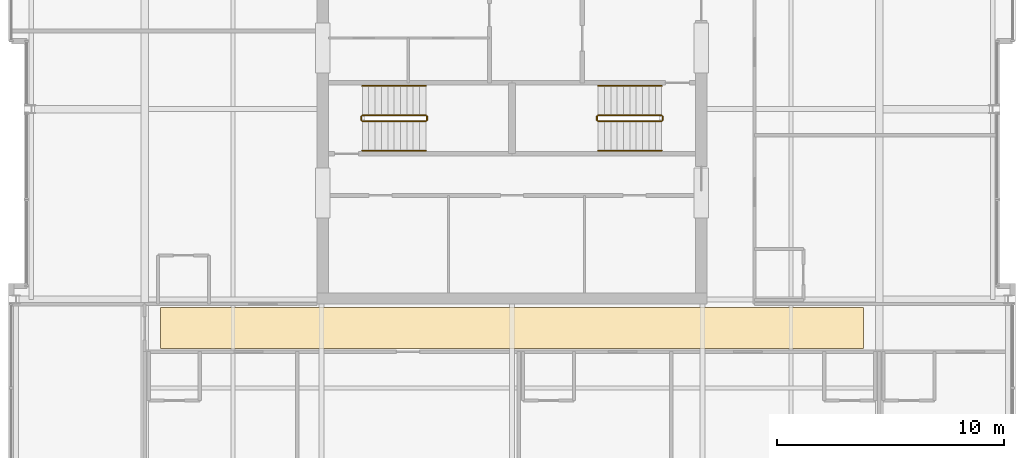
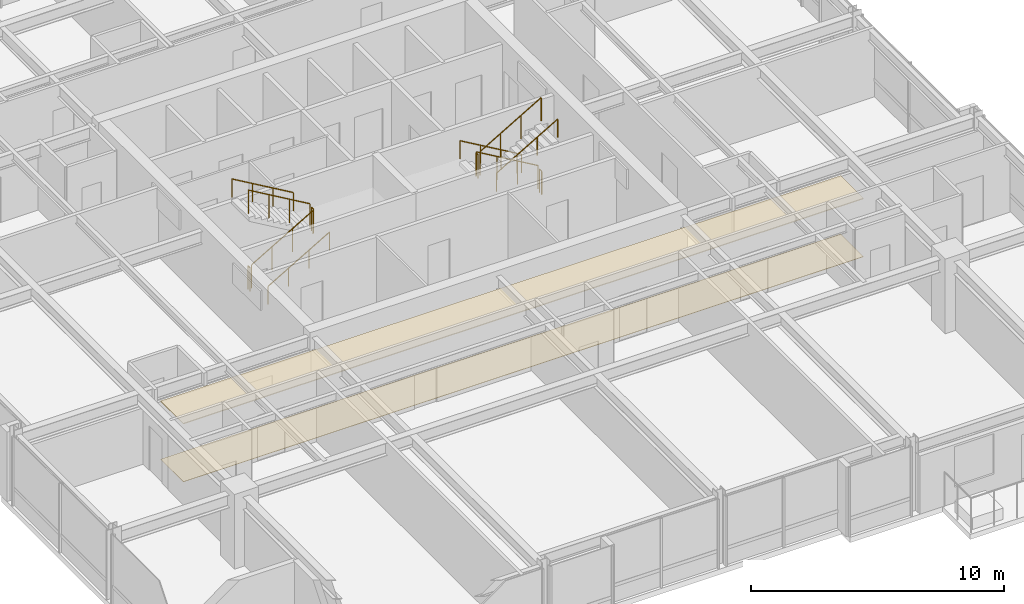
# One storey, part 30 of 31: 12 railings, 2 coverings.
"""IFC4 building model written with IfcOpenShell, lengths in metres."""

from ifc_helpers import new_model, si_unit, direction, frame, origin, origin_2d, place, context, subcontext, project, spatial, polyline, circle, outline, extrude, material, layer, layer_set, type_object, element, save


model = new_model("IFC4")

# Units and contexts
model_context = context("Model", 3, precision=1e-05, world=origin(), true_north=direction((0.0, 1.0)))
body_context = subcontext(model_context, "Body", "Model", "MODEL_VIEW")
ifc_project = project(units=[si_unit("LENGTHUNIT", "METRE"), si_unit("AREAUNIT", "SQUARE_METRE"), si_unit("VOLUMEUNIT", "CUBIC_METRE"), si_unit("PLANEANGLEUNIT", "RADIAN"), si_unit("MASSUNIT", "GRAM", prefix="KILO")], contexts=[model_context])

# Site, building, storey
site_placement = place(None, origin())
site = spatial("IfcSite", under=ifc_project, at=site_placement, CompositionType="ELEMENT")
building_placement = place(site_placement, origin())
building = spatial("IfcBuilding", under=site, at=building_placement, Name="Drelvath Grand Hotel", CompositionType="ELEMENT")
storey_placement = place(building_placement, frame((0.0, 0.0, 244.699951171875)))
storey = spatial("IfcBuildingStorey", under=building, at=storey_placement, Name="L64", CompositionType="ELEMENT", Elevation=244.699951171875)

# Railings
ifc_material_1 = material(Name="Painted Steel S275", Category="steel")
railing_type_1 = type_object("IfcRailingType", Name="Core Stair Wall Handrail 900", PredefinedType="HANDRAIL", material=ifc_material_1)
railing_1_placement = place(storey_placement, frame((-6.60009765625, 25.169921875, 0.16357421875)))
element("IfcRailing", 1, at=railing_1_placement, inside=storey, type_object=railing_type_1, Name="L64 ST-1 stair handrail 1", PredefinedType="HANDRAIL", context=body_context, shape_type="SweptSolid", body=[
    extrude(circle(Radius=0.02392578125, at=origin_2d()), frame((0.0, 0.0, 0.8759765625), z_axis=(0.863360870873, 0.0, 0.504586966384), x_axis=(0.0, 1.0, 0.0)), (0.0, 0.0, 1.0), 3.2431640625),
    extrude(circle(Radius=0.02099609375, at=origin_2d()), origin(), (0.0, 0.0, 1.0), 0.851806640625),
    extrude(circle(Radius=0.02099609375, at=origin_2d()), frame((0.933349609375, 0.0, 0.54541015625)), (0.0, 0.0, 1.0), 0.851806640625),
    extrude(circle(Radius=0.02099609375, at=origin_2d()), frame((1.86669921875, 0.0, 1.091064453125)), (0.0, 0.0, 1.0), 0.851806640625),
    extrude(circle(Radius=0.02099609375, at=origin_2d()), frame((2.800048828125, 0.0, 1.636474609375)), (0.0, 0.0, 1.0), 0.851806640625),
])
for number, where, name in (
    (2, (-3.800048828125, 28.030029296875, 1.963623046875), "L64 ST-1 stair handrail 2"),
    (3, (6.60009765625, 28.030029296875, 0.16357421875), "L64 ST-2 stair handrail 1"),
):
    element("IfcRailing", number, at=place(storey_placement, frame(where)), inside=storey, type_object=railing_type_1, Name=name, PredefinedType="HANDRAIL", context=body_context, shape_type="SweptSolid", body=[
        extrude(circle(Radius=0.02392578125, at=origin_2d()), frame((0.0, 0.0, 0.8759765625), z_axis=(-0.863360870873, 0.0, 0.504586966384), x_axis=(0.0, -1.0, 0.0)), (0.0, 0.0, 1.0), 3.2431640625),
        extrude(circle(Radius=0.02099609375, at=origin_2d()), origin(), (0.0, 0.0, 1.0), 0.851806640625),
        extrude(circle(Radius=0.02099609375, at=origin_2d()), frame((-0.933349609375, 0.0, 0.54541015625)), (0.0, 0.0, 1.0), 0.851806640625),
        extrude(circle(Radius=0.02099609375, at=origin_2d()), frame((-1.86669921875, 0.0, 1.091064453125)), (0.0, 0.0, 1.0), 0.851806640625),
        extrude(circle(Radius=0.02099609375, at=origin_2d()), frame((-2.800048828125, 0.0, 1.636474609375)), (0.0, 0.0, 1.0), 0.851806640625),
    ])
railing_2_placement = place(storey_placement, frame((3.800048828125, 25.169921875, 1.963623046875)))
element("IfcRailing", 4, at=railing_2_placement, inside=storey, type_object=railing_type_1, Name="L64 ST-2 stair handrail 2", PredefinedType="HANDRAIL", context=body_context, shape_type="SweptSolid", body=[
    extrude(circle(Radius=0.02392578125, at=origin_2d()), frame((0.0, 0.0, 0.8759765625), z_axis=(0.863360870873, 0.0, 0.504586966384), x_axis=(0.0, 1.0, 0.0)), (0.0, 0.0, 1.0), 3.2431640625),
    extrude(circle(Radius=0.02099609375, at=origin_2d()), origin(), (0.0, 0.0, 1.0), 0.851806640625),
    extrude(circle(Radius=0.02099609375, at=origin_2d()), frame((0.933349609375, 0.0, 0.54541015625)), (0.0, 0.0, 1.0), 0.851806640625),
    extrude(circle(Radius=0.02099609375, at=origin_2d()), frame((1.86669921875, 0.0, 1.091064453125)), (0.0, 0.0, 1.0), 0.851806640625),
    extrude(circle(Radius=0.02099609375, at=origin_2d()), frame((2.800048828125, 0.0, 1.636474609375)), (0.0, 0.0, 1.0), 0.851806640625),
])
railing_type_2 = type_object("IfcRailingType", Name="Core Stair Well Guardrail 1100", PredefinedType="GUARDRAIL", material=ifc_material_1)
railing_3_placement = place(storey_placement, frame((-6.60009765625, 26.469970703125, 0.16357421875)))
element("IfcRailing", 5, at=railing_3_placement, inside=storey, type_object=railing_type_2, Name="L64 ST-1 stair guard 1", PredefinedType="GUARDRAIL", context=body_context, shape_type="SweptSolid", body=[
    extrude(circle(Radius=0.02392578125, at=origin_2d()), frame((0.0, 0.0, 1.1259765625), z_axis=(0.863360870873, 0.0, 0.504586966384), x_axis=(0.0, 1.0, 0.0)), (0.0, 0.0, 1.0), 3.2431640625),
    extrude(circle(Radius=0.02099609375, at=origin_2d()), origin(), (0.0, 0.0, 1.0), 1.101806640625),
    extrude(circle(Radius=0.02099609375, at=origin_2d()), frame((0.933349609375, 0.0, 0.54541015625)), (0.0, 0.0, 1.0), 1.101806640625),
    extrude(circle(Radius=0.02099609375, at=origin_2d()), frame((1.86669921875, 0.0, 1.091064453125)), (0.0, 0.0, 1.0), 1.101806640625),
    extrude(circle(Radius=0.02099609375, at=origin_2d()), frame((2.800048828125, 0.0, 1.636474609375)), (0.0, 0.0, 1.0), 1.101806640625),
])
railing_4_placement = place(storey_placement, frame((-3.75, 26.52001953125, 1.800048828125)))
element("IfcRailing", 6, at=railing_4_placement, inside=storey, type_object=railing_type_2, Name="L64 ST-1 stair guard 2", PredefinedType="GUARDRAIL", context=body_context, shape_type="SweptSolid", body=[
    extrude(circle(Radius=0.02392578125, at=origin_2d()), frame((0.0, 0.0, 1.1259765625), z_axis=(0.0, 1.0, 0.0), x_axis=(-1.0, 0.0, 0.0)), (0.0, 0.0, 1.0), 0.159912109375),
    extrude(circle(Radius=0.02099609375, at=origin_2d()), origin(), (0.0, 0.0, 1.0), 1.101806640625),
    extrude(circle(Radius=0.02099609375, at=origin_2d()), frame((0.0, 0.159912109375, 0.0)), (0.0, 0.0, 1.0), 1.101806640625),
])
railing_5_placement = place(storey_placement, frame((-3.800048828125, 26.72998046875, 1.963623046875)))
element("IfcRailing", 7, at=railing_5_placement, inside=storey, type_object=railing_type_2, Name="L64 ST-1 stair guard 3", PredefinedType="GUARDRAIL", context=body_context, shape_type="SweptSolid", body=[
    extrude(circle(Radius=0.02392578125, at=origin_2d()), frame((0.0, 0.0, 1.1259765625), z_axis=(-0.863360870873, 0.0, 0.504586966384), x_axis=(0.0, -1.0, 0.0)), (0.0, 0.0, 1.0), 3.2431640625),
    extrude(circle(Radius=0.02099609375, at=origin_2d()), origin(), (0.0, 0.0, 1.0), 1.101806640625),
    extrude(circle(Radius=0.02099609375, at=origin_2d()), frame((-0.933349609375, 0.0, 0.54541015625)), (0.0, 0.0, 1.0), 1.101806640625),
    extrude(circle(Radius=0.02099609375, at=origin_2d()), frame((-1.86669921875, 0.0, 1.091064453125)), (0.0, 0.0, 1.0), 1.101806640625),
    extrude(circle(Radius=0.02099609375, at=origin_2d()), frame((-2.800048828125, 0.0, 1.636474609375)), (0.0, 0.0, 1.0), 1.101806640625),
])
railing_6_placement = place(storey_placement, frame((-6.64990234375, 26.52001953125, 0.0)))
element("IfcRailing", 8, at=railing_6_placement, inside=storey, type_object=railing_type_2, Name="L64 ST-1 stair guard 4", PredefinedType="GUARDRAIL", context=body_context, shape_type="SweptSolid", body=[
    extrude(circle(Radius=0.02392578125, at=origin_2d()), frame((0.0, 0.0, 1.1259765625), z_axis=(0.0, 1.0, 0.0), x_axis=(-1.0, 0.0, 0.0)), (0.0, 0.0, 1.0), 0.159912109375),
    extrude(circle(Radius=0.02099609375, at=origin_2d()), origin(), (0.0, 0.0, 1.0), 1.101806640625),
    extrude(circle(Radius=0.02099609375, at=origin_2d()), frame((0.0, 0.159912109375, 0.0)), (0.0, 0.0, 1.0), 1.101806640625),
])
railing_7_placement = place(storey_placement, frame((6.60009765625, 26.72998046875, 0.16357421875)))
element("IfcRailing", 9, at=railing_7_placement, inside=storey, type_object=railing_type_2, Name="L64 ST-2 stair guard 1", PredefinedType="GUARDRAIL", context=body_context, shape_type="SweptSolid", body=[
    extrude(circle(Radius=0.02392578125, at=origin_2d()), frame((0.0, 0.0, 1.1259765625), z_axis=(-0.863360870873, 0.0, 0.504586966384), x_axis=(0.0, -1.0, 0.0)), (0.0, 0.0, 1.0), 3.2431640625),
    extrude(circle(Radius=0.02099609375, at=origin_2d()), origin(), (0.0, 0.0, 1.0), 1.101806640625),
    extrude(circle(Radius=0.02099609375, at=origin_2d()), frame((-0.933349609375, 0.0, 0.54541015625)), (0.0, 0.0, 1.0), 1.101806640625),
    extrude(circle(Radius=0.02099609375, at=origin_2d()), frame((-1.86669921875, 0.0, 1.091064453125)), (0.0, 0.0, 1.0), 1.101806640625),
    extrude(circle(Radius=0.02099609375, at=origin_2d()), frame((-2.800048828125, 0.0, 1.636474609375)), (0.0, 0.0, 1.0), 1.101806640625),
])
railing_8_placement = place(storey_placement, frame((3.75, 26.679931640625, 1.800048828125)))
element("IfcRailing", 10, at=railing_8_placement, inside=storey, type_object=railing_type_2, Name="L64 ST-2 stair guard 2", PredefinedType="GUARDRAIL", context=body_context, shape_type="SweptSolid", body=[
    extrude(circle(Radius=0.02392578125, at=origin_2d()), frame((0.0, 0.0, 1.1259765625), z_axis=(0.0, -1.0, 0.0), x_axis=(1.0, 0.0, 0.0)), (0.0, 0.0, 1.0), 0.159912109375),
    extrude(circle(Radius=0.02099609375, at=origin_2d()), origin(), (0.0, 0.0, 1.0), 1.101806640625),
    extrude(circle(Radius=0.02099609375, at=origin_2d()), frame((0.0, -0.159912109375, 0.0)), (0.0, 0.0, 1.0), 1.101806640625),
])
railing_9_placement = place(storey_placement, frame((3.800048828125, 26.469970703125, 1.963623046875)))
element("IfcRailing", 11, at=railing_9_placement, inside=storey, type_object=railing_type_2, Name="L64 ST-2 stair guard 3", PredefinedType="GUARDRAIL", context=body_context, shape_type="SweptSolid", body=[
    extrude(circle(Radius=0.02392578125, at=origin_2d()), frame((0.0, 0.0, 1.1259765625), z_axis=(0.863360870873, 0.0, 0.504586966384), x_axis=(0.0, 1.0, 0.0)), (0.0, 0.0, 1.0), 3.2431640625),
    extrude(circle(Radius=0.02099609375, at=origin_2d()), origin(), (0.0, 0.0, 1.0), 1.101806640625),
    extrude(circle(Radius=0.02099609375, at=origin_2d()), frame((0.933349609375, 0.0, 0.54541015625)), (0.0, 0.0, 1.0), 1.101806640625),
    extrude(circle(Radius=0.02099609375, at=origin_2d()), frame((1.86669921875, 0.0, 1.091064453125)), (0.0, 0.0, 1.0), 1.101806640625),
    extrude(circle(Radius=0.02099609375, at=origin_2d()), frame((2.800048828125, 0.0, 1.636474609375)), (0.0, 0.0, 1.0), 1.101806640625),
])
railing_10_placement = place(storey_placement, frame((6.64990234375, 26.679931640625, 0.0)))
element("IfcRailing", 12, at=railing_10_placement, inside=storey, type_object=railing_type_2, Name="L64 ST-2 stair guard 4", PredefinedType="GUARDRAIL", context=body_context, shape_type="SweptSolid", body=[
    extrude(circle(Radius=0.02392578125, at=origin_2d()), frame((0.0, 0.0, 1.1259765625), z_axis=(0.0, -1.0, 0.0), x_axis=(1.0, 0.0, 0.0)), (0.0, 0.0, 1.0), 0.159912109375),
    extrude(circle(Radius=0.02099609375, at=origin_2d()), origin(), (0.0, 0.0, 1.0), 1.101806640625),
    extrude(circle(Radius=0.02099609375, at=origin_2d()), frame((0.0, -0.159912109375, 0.0)), (0.0, 0.0, 1.0), 1.101806640625),
])

# Coverings
ifc_material_2 = material(Name="Woven Wool Broadloom Carpet")
ifc_layer_1 = layer(ifc_material_2, 0.01806640625)
ifc_layer_set_1 = layer_set([ifc_layer_1], Name="Woven Wool Broadloom Carpet")
covering_type_1 = type_object("IfcCoveringType", Name="Hospitality Broadloom Carpet 18", PredefinedType="FLOORING", material=ifc_layer_set_1)
covering_1_placement = place(storey_placement, origin())
element("IfcCovering", 13, at=covering_1_placement, inside=storey, type_object=covering_type_1, Name="L64 Upper Gallery Carpet", PredefinedType="FLOORING", context=body_context, shape_type="SweptSolid", body=[
    extrude(outline(polyline([(15.5, 16.449951171875), (15.5, 18.25), (-15.5, 18.25), (-15.5, 16.449951171875), (15.5, 16.449951171875)])), origin(), (0.0, 0.0, 1.0), 0.01806640625),
])
ifc_material_3 = material(Name="Anodised Aluminium Alloy", Category="aluminium")
ifc_layer_2 = layer(ifc_material_3, 0.0400390625)
ifc_layer_set_2 = layer_set([ifc_layer_2], Name="Anodised Aluminium Alloy")
covering_type_2 = type_object("IfcCoveringType", Name="Perforated Metal Corridor Ceiling 40", PredefinedType="CEILING", material=ifc_layer_set_2)
covering_2_placement = place(storey_placement, frame((0.0, 0.0, 2.7900390625)))
element("IfcCovering", 14, at=covering_2_placement, inside=storey, type_object=covering_type_2, Name="L64 Upper Gallery Ceiling", PredefinedType="CEILING", context=body_context, shape_type="SweptSolid", body=[
    extrude(outline(polyline([(15.5, 16.449951171875), (15.5, 18.25), (-15.5, 18.25), (-15.5, 16.449951171875), (15.5, 16.449951171875)])), origin(), (0.0, 0.0, 1.0), 0.0400390625),
])

save(model, "model.ifc")
